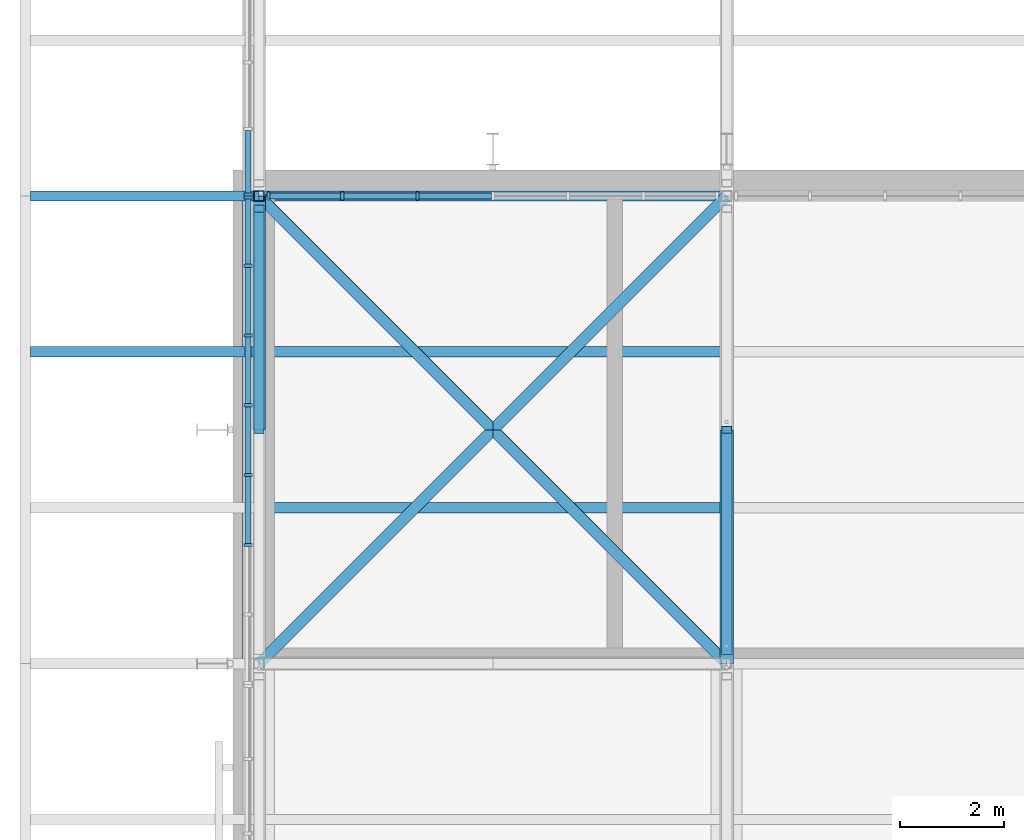
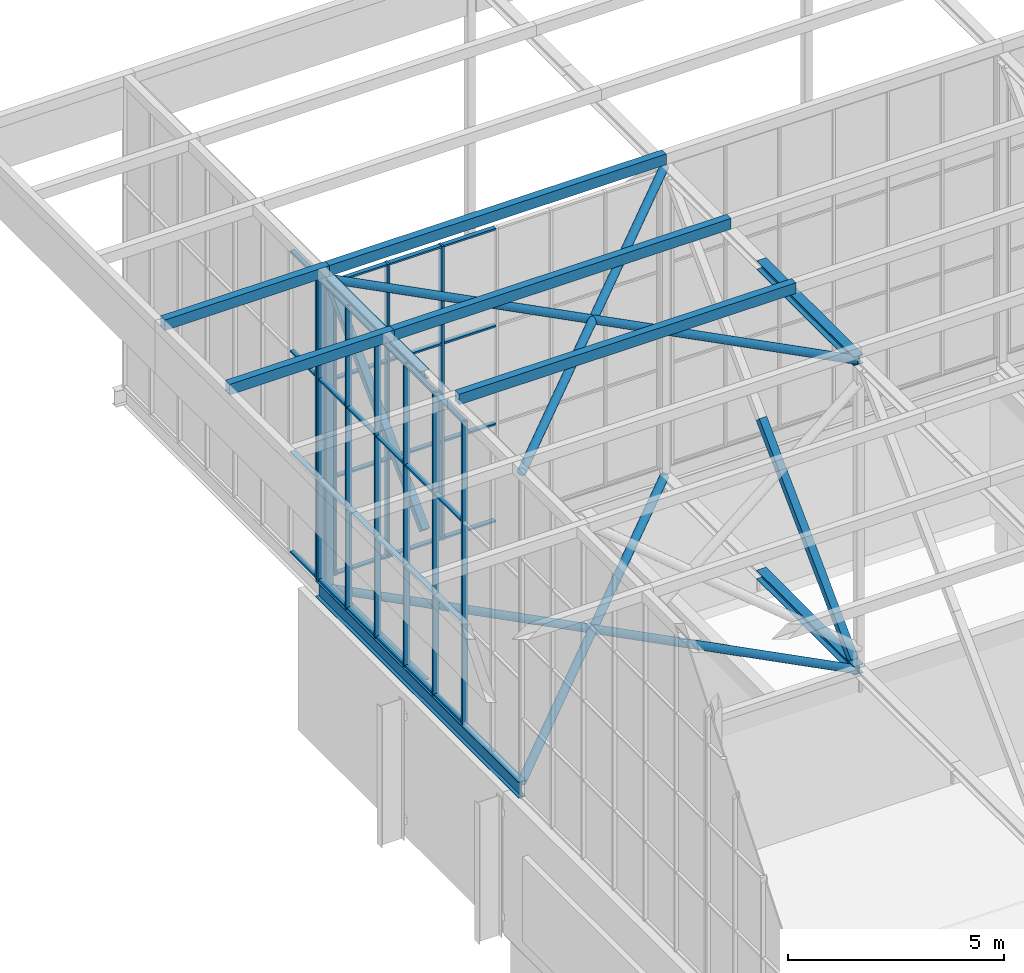
# One storey, part 112 of 646: 67 members, 1 beam, 3 elements without a shape of their own.
"""IFC4 building model written with IfcOpenShell, lengths in metres."""

import ifcopenshell
import ifcopenshell.guid

model = None  # the IFC model being written
_history = None  # IfcOwnerHistory: only IFC2X3 demands one
_inside = {}  # id of a spatial element -> (the spatial element, [elements in it])
_under = {}  # id of a project, library or spatial element -> (it, [spatial elements below it])
_declared = {}  # id of a project -> (the project, [libraries it declares])
_typed = {}  # id of a type object -> (the type object, [elements of that type])
_made_of = {}  # id of a material, layer set ... -> (it, [elements and type objects made of it])


def new_model(schema):
    """Start an empty IFC model of exactly this schema.

    Asked for "IFC4X3", IfcOpenShell would pick the latest addendum, in which some entities
    have other attributes; the version numbers below select the first issue.
    IFC2X3 requires an IfcOwnerHistory on every rooted entity: one is made here for all.
    """
    global model, _history
    if schema == "IFC4X3":
        model = ifcopenshell.file(schema_version=(4, 3, 0, 0))
    else:
        model = ifcopenshell.file(schema=schema)
    _inside.clear()
    _under.clear()
    _declared.clear()
    _typed.clear()
    _made_of.clear()
    _history = None
    if model.schema == "IFC2X3":
        org = make("IfcOrganization", Name="unknown")
        user = make(
            "IfcPersonAndOrganization",
            ThePerson=make("IfcPerson", FamilyName="unknown"),
            TheOrganization=org,
        )
        app = make(
            "IfcApplication",
            ApplicationDeveloper=org,
            Version="unknown",
            ApplicationFullName="unknown",
            ApplicationIdentifier="unknown",
        )
        _history = make(
            "IfcOwnerHistory",
            OwningUser=user,
            OwningApplication=app,
            ChangeAction="ADDED",
            CreationDate=0,
        )
    return model


def make(cls, **values):
    """One entity of the class cls with the attributes given. An attribute that is None is left unset."""
    return model.create_entity(
        cls, **{name: value for name, value in values.items() if value is not None}
    )


def rooted(cls, **values):
    """An entity with a GlobalId (a new one), such as an element, a storey or a relation."""
    return make(cls, GlobalId=ifcopenshell.guid.new(), OwnerHistory=_history, **values)


def si_unit(unit_type, name, prefix=None):
    """IfcSIUnit, for example si_unit("LENGTHUNIT", "METRE", prefix="MILLI")."""
    return make("IfcSIUnit", UnitType=unit_type, Prefix=prefix, Name=name)


def assignment(units):
    """IfcUnitAssignment: the units of a project."""
    return None if units is None else make("IfcUnitAssignment", Units=units)


def point(xyz):
    """IfcCartesianPoint."""
    return None if xyz is None else make("IfcCartesianPoint", Coordinates=xyz)


def direction(xyz):
    """IfcDirection."""
    return None if xyz is None else make("IfcDirection", DirectionRatios=xyz)


def frame(location, z_axis=None, x_axis=None):
    """IfcAxis2Placement3D, a coordinate frame: its origin and axes. An axis left out is left unset."""
    return make(
        "IfcAxis2Placement3D",
        Location=point(location),
        Axis=direction(z_axis),
        RefDirection=direction(x_axis),
    )


def frame_2d(location, x_axis=None):
    """IfcAxis2Placement2D, a coordinate frame in the plane: its origin and x axis."""
    return make(
        "IfcAxis2Placement2D", Location=point(location), RefDirection=direction(x_axis)
    )


def origin():
    """The frame at (0, 0, 0) with its axes left unset."""
    return frame((0.0, 0.0, 0.0))


def origin_2d():
    """The frame at (0, 0) in the plane with its x axis left unset."""
    return frame_2d((0.0, 0.0))


def place(relative_to, where):
    """IfcLocalPlacement: puts the frame where relative to a parent placement (None: the world)."""
    return make(
        "IfcLocalPlacement", PlacementRelTo=relative_to, RelativePlacement=where
    )


def context(
    kind, dimensions, precision=None, world=None, true_north=None, identifier=None
):
    """IfcGeometricRepresentationContext, for example the 3D "Model" context."""
    return make(
        "IfcGeometricRepresentationContext",
        ContextIdentifier=identifier,
        ContextType=kind,
        CoordinateSpaceDimension=dimensions,
        Precision=precision,
        WorldCoordinateSystem=world,
        TrueNorth=true_north,
    )


def subcontext(parent, identifier, kind, view, scale=None):
    """IfcGeometricRepresentationSubContext, for example "Body" below "Model"."""
    return make(
        "IfcGeometricRepresentationSubContext",
        ContextIdentifier=identifier,
        ContextType=kind,
        ParentContext=parent,
        TargetScale=scale,
        TargetView=view,
    )


def project(units=None, contexts=None):
    """IfcProject with its units and contexts."""
    return rooted(
        "IfcProject",
        Name="project",
        RepresentationContexts=contexts,
        UnitsInContext=assignment(units),
    )


def spatial(cls, under=None, at=None, **own):
    """A site, building, storey or space (cls), placed at a placement, below another one or the project."""
    s = rooted(cls, ObjectPlacement=at, **own)
    if under is not None:
        _under.setdefault(under.id(), (under, []))[1].append(s)
    return s


def profile(cls, at=None, kind="AREA", **sizes):
    """A parametric profile (cls). Its sizes go by their IFC names, for example OverallWidth=200.0."""
    return make(cls, ProfileType=kind, Position=at, **sizes)


def rectangle(**sizes):
    """IfcRectangleProfileDef."""
    return profile("IfcRectangleProfileDef", **sizes)


def hollow_rectangle(**sizes):
    """IfcRectangleHollowProfileDef."""
    return profile("IfcRectangleHollowProfileDef", **sizes)


def hollow_circle(**sizes):
    """IfcCircleHollowProfileDef."""
    return profile("IfcCircleHollowProfileDef", **sizes)


def i_section(**sizes):
    """IfcIShapeProfileDef."""
    return profile("IfcIShapeProfileDef", **sizes)


def extrude(swept, where, along, depth):
    """IfcExtrudedAreaSolid: the profile swept, set in the frame where, extruded along a direction by depth."""
    return make(
        "IfcExtrudedAreaSolid",
        SweptArea=swept,
        Position=where,
        ExtrudedDirection=direction(along),
        Depth=depth,
    )


def shape(context_of_items, identifier, shape_type, items):
    """IfcShapeRepresentation: the items that make up one representation, for example the "Body"."""
    return make(
        "IfcShapeRepresentation",
        ContextOfItems=context_of_items,
        RepresentationIdentifier=identifier,
        RepresentationType=shape_type,
        Items=items,
    )


def material(Name=None, Category=None):
    """IfcMaterial."""
    return make("IfcMaterial", Name=Name, Category=Category)


def material_profile(
    of_material, cross_section, Name=None, Category=None, Priority=None
):
    """IfcMaterialProfile: a cross section and its material."""
    return make(
        "IfcMaterialProfile",
        Name=Name,
        Material=of_material,
        Profile=cross_section,
        Priority=Priority,
        Category=Category,
    )


def profile_set(profiles, Name=None, composite=None):
    """IfcMaterialProfileSet."""
    return make(
        "IfcMaterialProfileSet",
        Name=Name,
        MaterialProfiles=profiles,
        CompositeProfile=composite,
    )


def made_of(thing, what):
    """Note that an element or type object is made of a material, layer set ...; save() writes the relation."""
    if what is not None:
        _made_of.setdefault(what.id(), (what, []))[1].append(thing)
    return thing


def type_object(cls, material=None, **own):
    """A type object (cls), such as IfcWallType, which elements share."""
    return made_of(rooted(cls, **own), material)


def element(
    cls,
    number,
    at=None,
    inside=None,
    cuts=None,
    type_object=None,
    material=None,
    context=None,
    identifier="Body",
    shape_type=None,
    held_by="IfcProductDefinitionShape",
    body=None,
    shapes=None,
    **own,
):
    """One element of the class cls, such as IfcWall. Its Tag is "e" and its number.

    at: its placement. inside: the storey or other place that contains it. cuts: it is an
    opening in that element (IfcRelVoidsElement). A single representation is given by context,
    identifier, shape_type and body (its items); several are given by shapes. held_by: the class
    of the entity that holds the representations. save() writes the other relations.
    """
    e = rooted(cls, Tag="e%d" % number, ObjectPlacement=at, **own)
    if body is not None:
        shapes = [shape(context, identifier, shape_type, body)]
    if shapes is not None:
        e.Representation = make(held_by, Representations=shapes)
    if inside is not None:
        _inside.setdefault(inside.id(), (inside, []))[1].append(e)
    if cuts is not None:
        rooted(
            "IfcRelVoidsElement", RelatingBuildingElement=cuts, RelatedOpeningElement=e
        )
    if type_object is not None:
        _typed.setdefault(type_object.id(), (type_object, []))[1].append(e)
    return made_of(e, material)


def aggregate(whole, parts):
    """IfcRelAggregates: a whole, such as a stair, and the parts it consists of."""
    return rooted("IfcRelAggregates", RelatingObject=whole, RelatedObjects=parts)


def save(model, path):
    """Write the relations noted so far, then the file.

    IfcRelAggregates (storeys below a building ...), IfcRelContainedInSpatialStructure (elements
    in a storey), IfcRelDefinesByType, IfcRelAssociatesMaterial and IfcRelDeclares: one each for
    every whole, place, type object, material and project.
    """
    for whole, parts in _under.values():
        aggregate(whole, parts)
    for where, things in _inside.values():
        rooted(
            "IfcRelContainedInSpatialStructure",
            RelatedElements=things,
            RelatingStructure=where,
        )
    for kind, things in _typed.values():
        rooted("IfcRelDefinesByType", RelatedObjects=things, RelatingType=kind)
    for what, things in _made_of.values():
        rooted("IfcRelAssociatesMaterial", RelatedObjects=things, RelatingMaterial=what)
    for by, libraries in _declared.values():
        rooted("IfcRelDeclares", RelatingContext=by, RelatedDefinitions=libraries)
    model.write(path)


model = new_model("IFC4")

# Units and contexts
model_context = context("Model", 3, precision=1e-05, world=origin(), true_north=direction((0.0, 1.0)))
body_context = subcontext(model_context, "Body", "Model", "MODEL_VIEW")
ifc_project = project(units=[si_unit("LENGTHUNIT", "METRE"), si_unit("AREAUNIT", "SQUARE_METRE"), si_unit("VOLUMEUNIT", "CUBIC_METRE"), si_unit("PLANEANGLEUNIT", "RADIAN"), si_unit("MASSUNIT", "GRAM", prefix="KILO")], contexts=[model_context])

# Site, building, storey
site_placement = place(None, origin())
site = spatial("IfcSite", under=ifc_project, at=site_placement, CompositionType="ELEMENT")
building_placement = place(site_placement, origin())
building = spatial("IfcBuilding", under=site, at=building_placement, Name="Silverbay Arena", CompositionType="ELEMENT")
storey_placement = place(building_placement, frame((0.0, 0.0, 33.5)))
storey = spatial("IfcBuildingStorey", under=building, at=storey_placement, Name="L05", CompositionType="ELEMENT", Elevation=33.5)

# Curtain wall, members
ifc_material_1 = material(Name="Aluminium framed glazing", Category="aluminium")
curtain_wall_type_1 = type_object("IfcCurtainWallType", Name="Curtain wall clerestory 8693 x 8303", PredefinedType="NOTDEFINED", material=ifc_material_1)
curtain_wall_1_placement = place(storey_placement, origin())
curtain_wall_1 = element("IfcCurtainWall", 1, at=curtain_wall_1_placement, inside=storey, type_object=curtain_wall_type_1, Name="ROOF CLERESTORY CURTAIN WALL north bay 01", PredefinedType="NOTDEFINED")
ifc_material_2 = material(Name="Aluminium", Category="aluminium")
ifc_material_profile_1 = material_profile(ifc_material_2, rectangle(XDim=0.159912109375, YDim=0.06005859375, at=origin_2d()), Name="Mullion 60 x 160")
ifc_profile_set_1 = profile_set([ifc_material_profile_1], Name="Aluminium")
member_type_1 = type_object("IfcMemberType", Name="Mullion 60 x 160", PredefinedType="MULLION", material=ifc_profile_set_1)
member_1_placement = place(storey_placement, frame((54.18359375, 144.0, 4.4599609375), z_axis=(0.0, 0.0, 1.0), x_axis=(0.0, 1.0, 0.0)))
member_1 = element("IfcMember", 2, at=member_1_placement, type_object=member_type_1, Name="CW54 mullion 1", PredefinedType="MULLION", context=body_context, shape_type="SweptSolid", body=[
    extrude(rectangle(XDim=0.159912109375, YDim=0.06005859375, at=origin_2d()), origin(), (0.0, 0.0, 1.0), 8.303466796875),
])
member_2_placement = place(storey_placement, frame((55.6025390625, 144.0, 4.4599609375), z_axis=(0.0, 0.0, 1.0), x_axis=(0.0, 1.0, 0.0)))
member_2 = element("IfcMember", 3, at=member_2_placement, type_object=member_type_1, Name="CW54 mullion 2", PredefinedType="MULLION", context=body_context, shape_type="SweptSolid", body=[
    extrude(rectangle(XDim=0.159912109375, YDim=0.06005859375, at=origin_2d()), origin(), (0.0, 0.0, 1.0), 8.303466796875),
])
member_3_placement = place(storey_placement, frame((57.05126953125, 144.0, 4.4599609375), z_axis=(0.0, 0.0, 1.0), x_axis=(0.0, 1.0, 0.0)))
member_3 = element("IfcMember", 4, at=member_3_placement, type_object=member_type_1, Name="CW54 mullion 3", PredefinedType="MULLION", context=body_context, shape_type="SweptSolid", body=[
    extrude(rectangle(XDim=0.159912109375, YDim=0.06005859375, at=origin_2d()), origin(), (0.0, 0.0, 1.0), 8.303466796875),
])

ifc_material_3 = material(Name="Aluminium framed glazing", Category="aluminium")
curtain_wall_type_2 = type_object("IfcCurtainWallType", Name="Curtain wall clerestory 9400 x 8547", PredefinedType="NOTDEFINED", material=ifc_material_3)
curtain_wall_2_placement = place(storey_placement, origin())
curtain_wall_2 = element("IfcCurtainWall", 5, at=curtain_wall_2_placement, inside=storey, type_object=curtain_wall_type_2, Name="ROOF GABLE CLERESTORY CURTAIN WALL west bay 15", PredefinedType="NOTDEFINED")
member_4_placement = place(storey_placement, frame((53.7900390625, 137.28564453125, 4.453369140625), z_axis=(0.0, 0.0, 1.0), x_axis=(-1.0, 0.0, 0.0)))
member_4 = element("IfcMember", 6, at=member_4_placement, type_object=member_type_1, Name="CW58 mullion 3", PredefinedType="MULLION", context=body_context, shape_type="SweptSolid", body=[
    extrude(rectangle(XDim=0.159912109375, YDim=0.06005859375, at=origin_2d()), origin(), (0.0, 0.0, 1.0), 8.546630859375),
])
member_5_placement = place(storey_placement, frame((53.7900390625, 138.628662109375, 4.453369140625), z_axis=(0.0, 0.0, 1.0), x_axis=(-1.0, 0.0, 0.0)))
member_5 = element("IfcMember", 7, at=member_5_placement, type_object=member_type_1, Name="CW58 mullion 4", PredefinedType="MULLION", context=body_context, shape_type="SweptSolid", body=[
    extrude(rectangle(XDim=0.159912109375, YDim=0.06005859375, at=origin_2d()), origin(), (0.0, 0.0, 1.0), 8.546630859375),
])
member_6_placement = place(storey_placement, frame((53.7900390625, 139.971435546875, 4.453369140625), z_axis=(0.0, 0.0, 1.0), x_axis=(-1.0, 0.0, 0.0)))
member_6 = element("IfcMember", 8, at=member_6_placement, type_object=member_type_1, Name="CW58 mullion 5", PredefinedType="MULLION", context=body_context, shape_type="SweptSolid", body=[
    extrude(rectangle(XDim=0.159912109375, YDim=0.06005859375, at=origin_2d()), origin(), (0.0, 0.0, 1.0), 8.546630859375),
])
member_7_placement = place(storey_placement, frame((53.7900390625, 141.314208984375, 4.453369140625), z_axis=(0.0, 0.0, 1.0), x_axis=(-1.0, 0.0, 0.0)))
member_7 = element("IfcMember", 9, at=member_7_placement, type_object=member_type_1, Name="CW58 mullion 6", PredefinedType="MULLION", context=body_context, shape_type="SweptSolid", body=[
    extrude(rectangle(XDim=0.159912109375, YDim=0.06005859375, at=origin_2d()), origin(), (0.0, 0.0, 1.0), 8.546630859375),
])
member_8_placement = place(storey_placement, frame((53.7900390625, 142.6572265625, 4.453369140625), z_axis=(0.0, 0.0, 1.0), x_axis=(-1.0, 0.0, 0.0)))
member_8 = element("IfcMember", 10, at=member_8_placement, type_object=member_type_1, Name="CW58 mullion 7", PredefinedType="MULLION", context=body_context, shape_type="SweptSolid", body=[
    extrude(rectangle(XDim=0.159912109375, YDim=0.06005859375, at=origin_2d()), origin(), (0.0, 0.0, 1.0), 8.546630859375),
])
member_9_placement = place(storey_placement, frame((53.7900390625, 143.969970703125, 4.453369140625), z_axis=(0.0, 0.0, 1.0), x_axis=(-1.0, 0.0, 0.0)))
member_9 = element("IfcMember", 11, at=member_9_placement, type_object=member_type_1, Name="CW58 mullion 8", PredefinedType="MULLION", context=body_context, shape_type="SweptSolid", body=[
    extrude(rectangle(XDim=0.159912109375, YDim=0.06005859375, at=origin_2d()), origin(), (0.0, 0.0, 1.0), 8.546630859375),
])

# Curtain wall, member
ifc_material_4 = material(Name="Aluminium framed glazing", Category="aluminium")
curtain_wall_type_3 = type_object("IfcCurtainWallType", Name="Curtain wall clerestory 9000 x 8547", PredefinedType="NOTDEFINED", material=ifc_material_4)
curtain_wall_3_placement = place(storey_placement, origin())
curtain_wall_3 = element("IfcCurtainWall", 12, at=curtain_wall_3_placement, inside=storey, type_object=curtain_wall_type_3, Name="ROOF GABLE CLERESTORY CURTAIN WALL west bay 16", PredefinedType="NOTDEFINED")
member_10_placement = place(storey_placement, frame((53.7900390625, 144.030029296875, 4.453369140625), z_axis=(0.0, 0.0, 1.0), x_axis=(-1.0, 0.0, 0.0)))
member_10 = element("IfcMember", 13, at=member_10_placement, type_object=member_type_1, Name="CW57 mullion 1", PredefinedType="MULLION", context=body_context, shape_type="SweptSolid", body=[
    extrude(rectangle(XDim=0.159912109375, YDim=0.06005859375, at=origin_2d()), origin(), (0.0, 0.0, 1.0), 8.546630859375),
])

# Members
ifc_material_5 = material(Name="Steel S355", Category="steel")
ifc_material_profile_2 = material_profile(ifc_material_5, hollow_circle(Radius=0.109619140625, WallThickness=0.00634765625, at=origin_2d()), Name="CHS 219.1x6.3")
ifc_profile_set_2 = profile_set([ifc_material_profile_2], Name="Steel S355")
member_type_2 = type_object("IfcMemberType", Name="Plan bracing CHS 219.1x6.3", PredefinedType="BRACE", material=ifc_profile_set_2)
for number, where, z_axis, x_axis, name in (
    (14, (54.0, 135.0, 12.873046875), (0.707106781187, 0.707106781187, 0.0), (-0.707106781187, 0.707106781187, 0.0), "ROOF BRACING top 7-8 panel 15 Aa"),
    (15, (58.5, 139.5, 12.873046875), (0.707106781187, 0.707106781187, 0.0), (-0.707106781187, 0.707106781187, 0.0), "ROOF BRACING top 7-8 panel 15 Ab"),
    (16, (54.0, 144.0, 12.873046875), (0.707106781187, -0.707106781187, 0.0), (0.707106781187, 0.707106781187, 0.0), "ROOF BRACING top 7-8 panel 15 Ba"),
    (17, (58.5, 139.5, 12.873046875), (0.707106781187, -0.707106781187, 0.0), (0.707106781187, 0.707106781187, 0.0), "ROOF BRACING top 7-8 panel 15 Bb"),
    (18, (54.0, 135.0, 4.126953125), (0.707106781187, 0.707106781187, 0.0), (-0.707106781187, 0.707106781187, 0.0), "ROOF BRACING bottom 7-8 panel 15 Aa"),
    (19, (58.5, 139.5, 4.126953125), (0.707106781187, 0.707106781187, 0.0), (-0.707106781187, 0.707106781187, 0.0), "ROOF BRACING bottom 7-8 panel 15 Ab"),
    (20, (54.0, 144.0, 4.126953125), (0.707106781187, -0.707106781187, 0.0), (0.707106781187, 0.707106781187, 0.0), "ROOF BRACING bottom 7-8 panel 15 Ba"),
    (21, (58.5, 139.5, 4.126953125), (0.707106781187, -0.707106781187, 0.0), (0.707106781187, 0.707106781187, 0.0), "ROOF BRACING bottom 7-8 panel 15 Bb"),
):
    element("IfcMember", number, at=place(storey_placement, frame(where, z_axis=z_axis, x_axis=x_axis)), inside=storey, type_object=member_type_2, Name=name, PredefinedType="BRACE", context=body_context, shape_type="SweptSolid", body=[
        extrude(hollow_circle(Radius=0.109619140625, WallThickness=0.00634765625, at=origin_2d()), origin(), (0.0, 0.0, 1.0), 6.364013671875),
    ])
ifc_material_6 = material(Name="Steel S355", Category="steel")
ifc_material_profile_3 = material_profile(ifc_material_6, hollow_rectangle(XDim=0.199951171875, YDim=0.300048828125, WallThickness=0.008056640625, at=origin_2d()), Name="RHS 300x200x8")
ifc_profile_set_3 = profile_set([ifc_material_profile_3], Name="Steel S355")
member_type_3 = type_object("IfcMemberType", Name="Purlin RHS 300x200x8", PredefinedType="PURLIN", material=ifc_profile_set_3)
for number, where, z_axis, x_axis, name in (
    (22, (54.0, 138.0, 13.14990234375), (1.0, 0.0, 0.0), (0.0, 1.0, 0.0), "ROOF PURLIN 7-8 line 44"),
    (23, (54.0, 141.0, 13.14990234375), (1.0, 0.0, 0.0), (0.0, 1.0, 0.0), "ROOF PURLIN 7-8 line 45"),
    (24, (54.0, 144.0, 13.14990234375), (1.0, 0.0, 0.0), (0.0, 1.0, 0.0), "ROOF PURLIN 7-8 line 46"),
):
    element("IfcMember", number, at=place(storey_placement, frame(where, z_axis=z_axis, x_axis=x_axis)), inside=storey, type_object=member_type_3, Name=name, PredefinedType="PURLIN", context=body_context, shape_type="SweptSolid", body=[
        extrude(hollow_rectangle(XDim=0.199951171875, YDim=0.300048828125, WallThickness=0.008056640625, at=origin_2d()), origin(), (0.0, 0.0, 1.0), 9.0),
    ])
for number, where, z_axis, x_axis, name in (
    (25, (49.60009765625, 141.0, 13.14990234375), (1.0, 0.0, 0.0), (0.0, 1.0, 0.0), "ROOF PURLIN west eave line 45"),
    (26, (49.60009765625, 144.0, 13.14990234375), (1.0, 0.0, 0.0), (0.0, 1.0, 0.0), "ROOF PURLIN west eave line 46"),
):
    element("IfcMember", number, at=place(storey_placement, frame(where, z_axis=z_axis, x_axis=x_axis)), inside=storey, type_object=member_type_3, Name=name, PredefinedType="PURLIN", context=body_context, shape_type="SweptSolid", body=[
        extrude(hollow_rectangle(XDim=0.199951171875, YDim=0.300048828125, WallThickness=0.008056640625, at=origin_2d()), origin(), (0.0, 0.0, 1.0), 4.39990234375),
    ])

# Beam
ifc_material_7 = material(Name="Steel S355", Category="steel")
ifc_material_profile_4 = material_profile(ifc_material_7, i_section(OverallWidth=0.18994140625, OverallDepth=0.453369140625, WebThickness=0.008544921875, FlangeThickness=0.0126953125, at=origin_2d()), Name="UB 457x191x67")
ifc_profile_set_4 = profile_set([ifc_material_profile_4], Name="Steel S355")
beam_type = type_object("IfcBeamType", Name="Ring beam UB 457x191x67", PredefinedType="BEAM", material=ifc_profile_set_4)
beam_placement = place(storey_placement, frame((53.775146484375, 134.60009765625, 4.226806640625), z_axis=(0.0, 1.0, 0.0), x_axis=(-1.0, 0.0, 0.0)))
element("IfcBeam", 27, at=beam_placement, inside=storey, type_object=beam_type, Name="RING BEAM west gable panel 15", PredefinedType="BEAM", context=body_context, shape_type="SweptSolid", body=[
    extrude(i_section(OverallWidth=0.18994140625, OverallDepth=0.453369140625, WebThickness=0.008544921875, FlangeThickness=0.0126953125, at=origin_2d()), origin(), (0.0, 0.0, 1.0), 9.39990234375),
])

# Members
ifc_material_8 = material(Name="Steel S355", Category="steel")
ifc_material_profile_5 = material_profile(ifc_material_8, i_section(OverallWidth=0.254638671875, OverallDepth=0.254150390625, WebThickness=0.008544921875, FlangeThickness=0.01416015625, at=origin_2d()), Name="UC 254x254x73")
ifc_profile_set_5 = profile_set([ifc_material_profile_5], Name="Steel S355")
member_type_4 = type_object("IfcMemberType", Name="Short-span bottom chord UC 254x254x73", PredefinedType="CHORD", material=ifc_profile_set_5)
for number, where, z_axis, x_axis, name in (
    (28, (54.0, 139.5, 4.126953125), (0.0, 1.0, 0.0), (-1.0, 0.0, 0.0), "ROOF TRUSS 7 bottom chord 15b"),
    (29, (63.0, 135.0, 4.126953125), (0.0, 1.0, 0.0), (-1.0, 0.0, 0.0), "ROOF TRUSS 8 bottom chord 15a"),
):
    element("IfcMember", number, at=place(storey_placement, frame(where, z_axis=z_axis, x_axis=x_axis)), inside=storey, type_object=member_type_4, Name=name, PredefinedType="CHORD", context=body_context, shape_type="SweptSolid", body=[
        extrude(i_section(OverallWidth=0.254638671875, OverallDepth=0.254150390625, WebThickness=0.008544921875, FlangeThickness=0.01416015625, at=origin_2d()), origin(), (0.0, 0.0, 1.0), 4.5),
    ])
ifc_material_9 = material(Name="Steel S355", Category="steel")
ifc_material_profile_6 = material_profile(ifc_material_9, i_section(OverallWidth=0.254638671875, OverallDepth=0.254150390625, WebThickness=0.008544921875, FlangeThickness=0.01416015625, at=origin_2d()), Name="UC 254x254x73")
ifc_profile_set_6 = profile_set([ifc_material_profile_6], Name="Steel S355")
member_type_5 = type_object("IfcMemberType", Name="Short-span top chord UC 254x254x73", PredefinedType="CHORD", material=ifc_profile_set_6)
for number, where, z_axis, x_axis, name in (
    (30, (54.0, 139.5, 12.873046875), (0.0, 1.0, 0.0), (-1.0, 0.0, 0.0), "ROOF TRUSS 7 top chord 15b"),
    (31, (63.0, 135.0, 12.873046875), (0.0, 1.0, 0.0), (-1.0, 0.0, 0.0), "ROOF TRUSS 8 top chord 15a"),
):
    element("IfcMember", number, at=place(storey_placement, frame(where, z_axis=z_axis, x_axis=x_axis)), inside=storey, type_object=member_type_5, Name=name, PredefinedType="CHORD", context=body_context, shape_type="SweptSolid", body=[
        extrude(i_section(OverallWidth=0.254638671875, OverallDepth=0.254150390625, WebThickness=0.008544921875, FlangeThickness=0.01416015625, at=origin_2d()), origin(), (0.0, 0.0, 1.0), 4.5),
    ])
ifc_material_10 = material(Name="Steel S355", Category="steel")
ifc_material_profile_7 = material_profile(ifc_material_10, hollow_rectangle(XDim=0.199951171875, YDim=0.199951171875, WallThickness=0.008056640625, at=origin_2d()), Name="SHS 200x200x8")
ifc_profile_set_7 = profile_set([ifc_material_profile_7], Name="Steel S355")
member_type_6 = type_object("IfcMemberType", Name="Short-span truss diagonal SHS 200x200x8", PredefinedType="BRACE", material=ifc_profile_set_7)
for number, where, z_axis, x_axis, name in (
    (32, (54.0, 143.75439453125, 12.745849609375), (0.0, -0.70781724692, -0.706395600894), (1.0, 0.0, 0.0), "ROOF TRUSS 7 diagonal 15a"),
    (33, (63.0, 139.5, 8.5), (0.0, -0.70781724692, -0.706395600894), (1.0, 0.0, 0.0), "ROOF TRUSS 8 diagonal 15b"),
):
    element("IfcMember", number, at=place(storey_placement, frame(where, z_axis=z_axis, x_axis=x_axis)), inside=storey, type_object=member_type_6, Name=name, PredefinedType="BRACE", context=body_context, shape_type="SweptSolid", body=[
        extrude(hollow_rectangle(XDim=0.199951171875, YDim=0.199951171875, WallThickness=0.008056640625, at=origin_2d()), origin(), (0.0, 0.0, 1.0), 6.010498046875),
    ])
ifc_material_11 = material(Name="Steel S355", Category="steel")
ifc_material_profile_8 = material_profile(ifc_material_11, hollow_rectangle(XDim=0.199951171875, YDim=0.199951171875, WallThickness=0.008056640625, at=origin_2d()), Name="SHS 200x200x8")
ifc_profile_set_8 = profile_set([ifc_material_profile_8], Name="Steel S355")
member_type_7 = type_object("IfcMemberType", Name="Short-span truss vertical SHS 200x200x8", PredefinedType="STRUT", material=ifc_profile_set_8)
for number, where, z_axis, x_axis, name in (
    (34, (54.0, 144.0, 4.254150390625), (0.0, 0.0, 1.0), (1.0, 0.0, 0.0), "ROOF TRUSS 7 vertical 16a"),
    (35, (54.0, 144.0, 8.5), (0.0, 0.0, 1.0), (1.0, 0.0, 0.0), "ROOF TRUSS 7 vertical 16b"),
):
    element("IfcMember", number, at=place(storey_placement, frame(where, z_axis=z_axis, x_axis=x_axis)), inside=storey, type_object=member_type_7, Name=name, PredefinedType="STRUT", context=body_context, shape_type="SweptSolid", body=[
        extrude(hollow_rectangle(XDim=0.199951171875, YDim=0.199951171875, WallThickness=0.008056640625, at=origin_2d()), origin(), (0.0, 0.0, 1.0), 4.245849609375),
    ])

# Member
ifc_material_12 = material(Name="Aluminium", Category="aluminium")
ifc_material_profile_9 = material_profile(ifc_material_12, rectangle(XDim=0.1201171875, YDim=0.050048828125, at=origin_2d()), Name="Transom 50 x 120")
ifc_profile_set_9 = profile_set([ifc_material_profile_9], Name="Aluminium")
member_type_8 = type_object("IfcMemberType", Name="Transom 50 x 120", PredefinedType="USERDEFINED", material=ifc_profile_set_9)
member_11_placement = place(storey_placement, frame((54.213623046875, 144.0, 4.485107421875), z_axis=(1.0, 0.0, 0.0), x_axis=(0.0, 1.0, 0.0)))
member_11 = element("IfcMember", 36, at=member_11_placement, type_object=member_type_8, Name="CW54 transom 1.1", ObjectType="TRANSOM", PredefinedType="USERDEFINED", context=body_context, shape_type="SweptSolid", body=[
    extrude(rectangle(XDim=0.1201171875, YDim=0.050048828125, at=origin_2d()), origin(), (0.0, 0.0, 1.0), 1.35888671875),
])

member_12_placement = place(storey_placement, frame((54.213623046875, 144.0, 7.227783203125), z_axis=(1.0, 0.0, 0.0), x_axis=(0.0, 1.0, 0.0)))
member_12 = element("IfcMember", 37, at=member_12_placement, type_object=member_type_8, Name="CW54 transom 1.2", ObjectType="TRANSOM", PredefinedType="USERDEFINED", context=body_context, shape_type="SweptSolid", body=[
    extrude(rectangle(XDim=0.1201171875, YDim=0.050048828125, at=origin_2d()), origin(), (0.0, 0.0, 1.0), 1.35888671875),
])

member_13_placement = place(storey_placement, frame((54.213623046875, 144.0, 9.99560546875), z_axis=(1.0, 0.0, 0.0), x_axis=(0.0, 1.0, 0.0)))
member_13 = element("IfcMember", 38, at=member_13_placement, type_object=member_type_8, Name="CW54 transom 1.3", ObjectType="TRANSOM", PredefinedType="USERDEFINED", context=body_context, shape_type="SweptSolid", body=[
    extrude(rectangle(XDim=0.1201171875, YDim=0.050048828125, at=origin_2d()), origin(), (0.0, 0.0, 1.0), 1.35888671875),
])

member_14_placement = place(storey_placement, frame((54.213623046875, 144.0, 12.73828125), z_axis=(1.0, 0.0, 0.0), x_axis=(0.0, 1.0, 0.0)))
member_14 = element("IfcMember", 39, at=member_14_placement, type_object=member_type_8, Name="CW54 transom 1.4", ObjectType="TRANSOM", PredefinedType="USERDEFINED", context=body_context, shape_type="SweptSolid", body=[
    extrude(rectangle(XDim=0.1201171875, YDim=0.050048828125, at=origin_2d()), origin(), (0.0, 0.0, 1.0), 1.35888671875),
])

member_15_placement = place(storey_placement, frame((55.632568359375, 144.0, 4.485107421875), z_axis=(1.0, 0.0, 0.0), x_axis=(0.0, 1.0, 0.0)))
member_15 = element("IfcMember", 40, at=member_15_placement, type_object=member_type_8, Name="CW54 transom 2.1", ObjectType="TRANSOM", PredefinedType="USERDEFINED", context=body_context, shape_type="SweptSolid", body=[
    extrude(rectangle(XDim=0.1201171875, YDim=0.050048828125, at=origin_2d()), origin(), (0.0, 0.0, 1.0), 1.388671875),
])

member_16_placement = place(storey_placement, frame((55.632568359375, 144.0, 7.227783203125), z_axis=(1.0, 0.0, 0.0), x_axis=(0.0, 1.0, 0.0)))
member_16 = element("IfcMember", 41, at=member_16_placement, type_object=member_type_8, Name="CW54 transom 2.2", ObjectType="TRANSOM", PredefinedType="USERDEFINED", context=body_context, shape_type="SweptSolid", body=[
    extrude(rectangle(XDim=0.1201171875, YDim=0.050048828125, at=origin_2d()), origin(), (0.0, 0.0, 1.0), 1.388671875),
])

member_17_placement = place(storey_placement, frame((55.632568359375, 144.0, 9.99560546875), z_axis=(1.0, 0.0, 0.0), x_axis=(0.0, 1.0, 0.0)))
member_17 = element("IfcMember", 42, at=member_17_placement, type_object=member_type_8, Name="CW54 transom 2.3", ObjectType="TRANSOM", PredefinedType="USERDEFINED", context=body_context, shape_type="SweptSolid", body=[
    extrude(rectangle(XDim=0.1201171875, YDim=0.050048828125, at=origin_2d()), origin(), (0.0, 0.0, 1.0), 1.388671875),
])

member_18_placement = place(storey_placement, frame((55.632568359375, 144.0, 12.73828125), z_axis=(1.0, 0.0, 0.0), x_axis=(0.0, 1.0, 0.0)))
member_18 = element("IfcMember", 43, at=member_18_placement, type_object=member_type_8, Name="CW54 transom 2.4", ObjectType="TRANSOM", PredefinedType="USERDEFINED", context=body_context, shape_type="SweptSolid", body=[
    extrude(rectangle(XDim=0.1201171875, YDim=0.050048828125, at=origin_2d()), origin(), (0.0, 0.0, 1.0), 1.388671875),
])

member_19_placement = place(storey_placement, frame((57.081298828125, 144.0, 4.485107421875), z_axis=(1.0, 0.0, 0.0), x_axis=(0.0, 1.0, 0.0)))
member_19 = element("IfcMember", 44, at=member_19_placement, type_object=member_type_8, Name="CW54 transom 3.1", ObjectType="TRANSOM", PredefinedType="USERDEFINED", context=body_context, shape_type="SweptSolid", body=[
    extrude(rectangle(XDim=0.1201171875, YDim=0.050048828125, at=origin_2d()), origin(), (0.0, 0.0, 1.0), 1.388671875),
])

member_20_placement = place(storey_placement, frame((57.081298828125, 144.0, 7.227783203125), z_axis=(1.0, 0.0, 0.0), x_axis=(0.0, 1.0, 0.0)))
member_20 = element("IfcMember", 45, at=member_20_placement, type_object=member_type_8, Name="CW54 transom 3.2", ObjectType="TRANSOM", PredefinedType="USERDEFINED", context=body_context, shape_type="SweptSolid", body=[
    extrude(rectangle(XDim=0.1201171875, YDim=0.050048828125, at=origin_2d()), origin(), (0.0, 0.0, 1.0), 1.388671875),
])

member_21_placement = place(storey_placement, frame((57.081298828125, 144.0, 9.99560546875), z_axis=(1.0, 0.0, 0.0), x_axis=(0.0, 1.0, 0.0)))
member_21 = element("IfcMember", 46, at=member_21_placement, type_object=member_type_8, Name="CW54 transom 3.3", ObjectType="TRANSOM", PredefinedType="USERDEFINED", context=body_context, shape_type="SweptSolid", body=[
    extrude(rectangle(XDim=0.1201171875, YDim=0.050048828125, at=origin_2d()), origin(), (0.0, 0.0, 1.0), 1.388671875),
])

member_22_placement = place(storey_placement, frame((57.081298828125, 144.0, 12.73828125), z_axis=(1.0, 0.0, 0.0), x_axis=(0.0, 1.0, 0.0)))
member_22 = element("IfcMember", 47, at=member_22_placement, type_object=member_type_8, Name="CW54 transom 3.4", ObjectType="TRANSOM", PredefinedType="USERDEFINED", context=body_context, shape_type="SweptSolid", body=[
    extrude(rectangle(XDim=0.1201171875, YDim=0.050048828125, at=origin_2d()), origin(), (0.0, 0.0, 1.0), 1.388671875),
])

aggregate(curtain_wall_1, [member_1, member_2, member_3, member_11, member_12, member_13, member_14, member_15, member_16, member_17, member_18, member_19, member_20, member_21, member_22])

member_23_placement = place(storey_placement, frame((53.7900390625, 137.315673828125, 4.478515625), z_axis=(0.0, 1.0, 0.0), x_axis=(-1.0, 0.0, 0.0)))
member_23 = element("IfcMember", 48, at=member_23_placement, type_object=member_type_8, Name="CW58 transom 3.1", ObjectType="TRANSOM", PredefinedType="USERDEFINED", context=body_context, shape_type="SweptSolid", body=[
    extrude(rectangle(XDim=0.1201171875, YDim=0.050048828125, at=origin_2d()), origin(), (0.0, 0.0, 1.0), 1.282958984375),
])

member_24_placement = place(storey_placement, frame((53.7900390625, 137.315673828125, 7.30224609375), z_axis=(0.0, 1.0, 0.0), x_axis=(-1.0, 0.0, 0.0)))
member_24 = element("IfcMember", 49, at=member_24_placement, type_object=member_type_8, Name="CW58 transom 3.2", ObjectType="TRANSOM", PredefinedType="USERDEFINED", context=body_context, shape_type="SweptSolid", body=[
    extrude(rectangle(XDim=0.1201171875, YDim=0.050048828125, at=origin_2d()), origin(), (0.0, 0.0, 1.0), 1.282958984375),
])

member_25_placement = place(storey_placement, frame((53.7900390625, 137.315673828125, 10.151123046875), z_axis=(0.0, 1.0, 0.0), x_axis=(-1.0, 0.0, 0.0)))
member_25 = element("IfcMember", 50, at=member_25_placement, type_object=member_type_8, Name="CW58 transom 3.3", ObjectType="TRANSOM", PredefinedType="USERDEFINED", context=body_context, shape_type="SweptSolid", body=[
    extrude(rectangle(XDim=0.1201171875, YDim=0.050048828125, at=origin_2d()), origin(), (0.0, 0.0, 1.0), 1.282958984375),
])

member_26_placement = place(storey_placement, frame((53.7900390625, 137.315673828125, 12.97509765625), z_axis=(0.0, 1.0, 0.0), x_axis=(-1.0, 0.0, 0.0)))
member_26 = element("IfcMember", 51, at=member_26_placement, type_object=member_type_8, Name="CW58 transom 3.4", ObjectType="TRANSOM", PredefinedType="USERDEFINED", context=body_context, shape_type="SweptSolid", body=[
    extrude(rectangle(XDim=0.1201171875, YDim=0.050048828125, at=origin_2d()), origin(), (0.0, 0.0, 1.0), 1.282958984375),
])

member_27_placement = place(storey_placement, frame((53.7900390625, 138.65869140625, 4.478515625), z_axis=(0.0, 1.0, 0.0), x_axis=(-1.0, 0.0, 0.0)))
member_27 = element("IfcMember", 52, at=member_27_placement, type_object=member_type_8, Name="CW58 transom 4.1", ObjectType="TRANSOM", PredefinedType="USERDEFINED", context=body_context, shape_type="SweptSolid", body=[
    extrude(rectangle(XDim=0.1201171875, YDim=0.050048828125, at=origin_2d()), origin(), (0.0, 0.0, 1.0), 1.28271484375),
])

member_28_placement = place(storey_placement, frame((53.7900390625, 138.65869140625, 7.30224609375), z_axis=(0.0, 1.0, 0.0), x_axis=(-1.0, 0.0, 0.0)))
member_28 = element("IfcMember", 53, at=member_28_placement, type_object=member_type_8, Name="CW58 transom 4.2", ObjectType="TRANSOM", PredefinedType="USERDEFINED", context=body_context, shape_type="SweptSolid", body=[
    extrude(rectangle(XDim=0.1201171875, YDim=0.050048828125, at=origin_2d()), origin(), (0.0, 0.0, 1.0), 1.28271484375),
])

member_29_placement = place(storey_placement, frame((53.7900390625, 138.65869140625, 10.151123046875), z_axis=(0.0, 1.0, 0.0), x_axis=(-1.0, 0.0, 0.0)))
member_29 = element("IfcMember", 54, at=member_29_placement, type_object=member_type_8, Name="CW58 transom 4.3", ObjectType="TRANSOM", PredefinedType="USERDEFINED", context=body_context, shape_type="SweptSolid", body=[
    extrude(rectangle(XDim=0.1201171875, YDim=0.050048828125, at=origin_2d()), origin(), (0.0, 0.0, 1.0), 1.28271484375),
])

member_30_placement = place(storey_placement, frame((53.7900390625, 138.65869140625, 12.97509765625), z_axis=(0.0, 1.0, 0.0), x_axis=(-1.0, 0.0, 0.0)))
member_30 = element("IfcMember", 55, at=member_30_placement, type_object=member_type_8, Name="CW58 transom 4.4", ObjectType="TRANSOM", PredefinedType="USERDEFINED", context=body_context, shape_type="SweptSolid", body=[
    extrude(rectangle(XDim=0.1201171875, YDim=0.050048828125, at=origin_2d()), origin(), (0.0, 0.0, 1.0), 1.28271484375),
])

member_31_placement = place(storey_placement, frame((53.7900390625, 140.00146484375, 4.478515625), z_axis=(0.0, 1.0, 0.0), x_axis=(-1.0, 0.0, 0.0)))
member_31 = element("IfcMember", 56, at=member_31_placement, type_object=member_type_8, Name="CW58 transom 5.1", ObjectType="TRANSOM", PredefinedType="USERDEFINED", context=body_context, shape_type="SweptSolid", body=[
    extrude(rectangle(XDim=0.1201171875, YDim=0.050048828125, at=origin_2d()), origin(), (0.0, 0.0, 1.0), 1.28271484375),
])

member_32_placement = place(storey_placement, frame((53.7900390625, 140.00146484375, 7.30224609375), z_axis=(0.0, 1.0, 0.0), x_axis=(-1.0, 0.0, 0.0)))
member_32 = element("IfcMember", 57, at=member_32_placement, type_object=member_type_8, Name="CW58 transom 5.2", ObjectType="TRANSOM", PredefinedType="USERDEFINED", context=body_context, shape_type="SweptSolid", body=[
    extrude(rectangle(XDim=0.1201171875, YDim=0.050048828125, at=origin_2d()), origin(), (0.0, 0.0, 1.0), 1.28271484375),
])

member_33_placement = place(storey_placement, frame((53.7900390625, 140.00146484375, 10.151123046875), z_axis=(0.0, 1.0, 0.0), x_axis=(-1.0, 0.0, 0.0)))
member_33 = element("IfcMember", 58, at=member_33_placement, type_object=member_type_8, Name="CW58 transom 5.3", ObjectType="TRANSOM", PredefinedType="USERDEFINED", context=body_context, shape_type="SweptSolid", body=[
    extrude(rectangle(XDim=0.1201171875, YDim=0.050048828125, at=origin_2d()), origin(), (0.0, 0.0, 1.0), 1.28271484375),
])

member_34_placement = place(storey_placement, frame((53.7900390625, 140.00146484375, 12.97509765625), z_axis=(0.0, 1.0, 0.0), x_axis=(-1.0, 0.0, 0.0)))
member_34 = element("IfcMember", 59, at=member_34_placement, type_object=member_type_8, Name="CW58 transom 5.4", ObjectType="TRANSOM", PredefinedType="USERDEFINED", context=body_context, shape_type="SweptSolid", body=[
    extrude(rectangle(XDim=0.1201171875, YDim=0.050048828125, at=origin_2d()), origin(), (0.0, 0.0, 1.0), 1.28271484375),
])

member_35_placement = place(storey_placement, frame((53.7900390625, 141.34423828125, 4.478515625), z_axis=(0.0, 1.0, 0.0), x_axis=(-1.0, 0.0, 0.0)))
member_35 = element("IfcMember", 60, at=member_35_placement, type_object=member_type_8, Name="CW58 transom 6.1", ObjectType="TRANSOM", PredefinedType="USERDEFINED", context=body_context, shape_type="SweptSolid", body=[
    extrude(rectangle(XDim=0.1201171875, YDim=0.050048828125, at=origin_2d()), origin(), (0.0, 0.0, 1.0), 1.282958984375),
])

member_36_placement = place(storey_placement, frame((53.7900390625, 141.34423828125, 7.30224609375), z_axis=(0.0, 1.0, 0.0), x_axis=(-1.0, 0.0, 0.0)))
member_36 = element("IfcMember", 61, at=member_36_placement, type_object=member_type_8, Name="CW58 transom 6.2", ObjectType="TRANSOM", PredefinedType="USERDEFINED", context=body_context, shape_type="SweptSolid", body=[
    extrude(rectangle(XDim=0.1201171875, YDim=0.050048828125, at=origin_2d()), origin(), (0.0, 0.0, 1.0), 1.282958984375),
])

member_37_placement = place(storey_placement, frame((53.7900390625, 141.34423828125, 10.151123046875), z_axis=(0.0, 1.0, 0.0), x_axis=(-1.0, 0.0, 0.0)))
member_37 = element("IfcMember", 62, at=member_37_placement, type_object=member_type_8, Name="CW58 transom 6.3", ObjectType="TRANSOM", PredefinedType="USERDEFINED", context=body_context, shape_type="SweptSolid", body=[
    extrude(rectangle(XDim=0.1201171875, YDim=0.050048828125, at=origin_2d()), origin(), (0.0, 0.0, 1.0), 1.282958984375),
])

member_38_placement = place(storey_placement, frame((53.7900390625, 141.34423828125, 12.97509765625), z_axis=(0.0, 1.0, 0.0), x_axis=(-1.0, 0.0, 0.0)))
member_38 = element("IfcMember", 63, at=member_38_placement, type_object=member_type_8, Name="CW58 transom 6.4", ObjectType="TRANSOM", PredefinedType="USERDEFINED", context=body_context, shape_type="SweptSolid", body=[
    extrude(rectangle(XDim=0.1201171875, YDim=0.050048828125, at=origin_2d()), origin(), (0.0, 0.0, 1.0), 1.282958984375),
])

member_39_placement = place(storey_placement, frame((53.7900390625, 142.687255859375, 4.478515625), z_axis=(0.0, 1.0, 0.0), x_axis=(-1.0, 0.0, 0.0)))
member_39 = element("IfcMember", 64, at=member_39_placement, type_object=member_type_8, Name="CW58 transom 7.1", ObjectType="TRANSOM", PredefinedType="USERDEFINED", context=body_context, shape_type="SweptSolid", body=[
    extrude(rectangle(XDim=0.1201171875, YDim=0.050048828125, at=origin_2d()), origin(), (0.0, 0.0, 1.0), 1.252685546875),
])

member_40_placement = place(storey_placement, frame((53.7900390625, 142.687255859375, 7.30224609375), z_axis=(0.0, 1.0, 0.0), x_axis=(-1.0, 0.0, 0.0)))
member_40 = element("IfcMember", 65, at=member_40_placement, type_object=member_type_8, Name="CW58 transom 7.2", ObjectType="TRANSOM", PredefinedType="USERDEFINED", context=body_context, shape_type="SweptSolid", body=[
    extrude(rectangle(XDim=0.1201171875, YDim=0.050048828125, at=origin_2d()), origin(), (0.0, 0.0, 1.0), 1.252685546875),
])

member_41_placement = place(storey_placement, frame((53.7900390625, 142.687255859375, 10.151123046875), z_axis=(0.0, 1.0, 0.0), x_axis=(-1.0, 0.0, 0.0)))
member_41 = element("IfcMember", 66, at=member_41_placement, type_object=member_type_8, Name="CW58 transom 7.3", ObjectType="TRANSOM", PredefinedType="USERDEFINED", context=body_context, shape_type="SweptSolid", body=[
    extrude(rectangle(XDim=0.1201171875, YDim=0.050048828125, at=origin_2d()), origin(), (0.0, 0.0, 1.0), 1.252685546875),
])

member_42_placement = place(storey_placement, frame((53.7900390625, 142.687255859375, 12.97509765625), z_axis=(0.0, 1.0, 0.0), x_axis=(-1.0, 0.0, 0.0)))
member_42 = element("IfcMember", 67, at=member_42_placement, type_object=member_type_8, Name="CW58 transom 7.4", ObjectType="TRANSOM", PredefinedType="USERDEFINED", context=body_context, shape_type="SweptSolid", body=[
    extrude(rectangle(XDim=0.1201171875, YDim=0.050048828125, at=origin_2d()), origin(), (0.0, 0.0, 1.0), 1.252685546875),
])

aggregate(curtain_wall_2, [member_4, member_5, member_6, member_7, member_8, member_9, member_23, member_24, member_25, member_26, member_27, member_28, member_29, member_30, member_31, member_32, member_33, member_34, member_35, member_36, member_37, member_38, member_39, member_40, member_41, member_42])

member_43_placement = place(storey_placement, frame((53.7900390625, 144.06005859375, 4.478515625), z_axis=(0.0, 1.0, 0.0), x_axis=(-1.0, 0.0, 0.0)))
member_43 = element("IfcMember", 68, at=member_43_placement, type_object=member_type_8, Name="CW57 transom 1.1", ObjectType="TRANSOM", PredefinedType="USERDEFINED", context=body_context, shape_type="SweptSolid", body=[
    extrude(rectangle(XDim=0.1201171875, YDim=0.050048828125, at=origin_2d()), origin(), (0.0, 0.0, 1.0), 1.195556640625),
])

member_44_placement = place(storey_placement, frame((53.7900390625, 144.06005859375, 7.30224609375), z_axis=(0.0, 1.0, 0.0), x_axis=(-1.0, 0.0, 0.0)))
member_44 = element("IfcMember", 69, at=member_44_placement, type_object=member_type_8, Name="CW57 transom 1.2", ObjectType="TRANSOM", PredefinedType="USERDEFINED", context=body_context, shape_type="SweptSolid", body=[
    extrude(rectangle(XDim=0.1201171875, YDim=0.050048828125, at=origin_2d()), origin(), (0.0, 0.0, 1.0), 1.195556640625),
])

member_45_placement = place(storey_placement, frame((53.7900390625, 144.06005859375, 10.151123046875), z_axis=(0.0, 1.0, 0.0), x_axis=(-1.0, 0.0, 0.0)))
member_45 = element("IfcMember", 70, at=member_45_placement, type_object=member_type_8, Name="CW57 transom 1.3", ObjectType="TRANSOM", PredefinedType="USERDEFINED", context=body_context, shape_type="SweptSolid", body=[
    extrude(rectangle(XDim=0.1201171875, YDim=0.050048828125, at=origin_2d()), origin(), (0.0, 0.0, 1.0), 1.195556640625),
])

member_46_placement = place(storey_placement, frame((53.7900390625, 144.06005859375, 12.97509765625), z_axis=(0.0, 1.0, 0.0), x_axis=(-1.0, 0.0, 0.0)))
member_46 = element("IfcMember", 71, at=member_46_placement, type_object=member_type_8, Name="CW57 transom 1.4", ObjectType="TRANSOM", PredefinedType="USERDEFINED", context=body_context, shape_type="SweptSolid", body=[
    extrude(rectangle(XDim=0.1201171875, YDim=0.050048828125, at=origin_2d()), origin(), (0.0, 0.0, 1.0), 1.195556640625),
])

aggregate(curtain_wall_3, [member_10, member_43, member_44, member_45, member_46])

save(model, "model.ifc")
